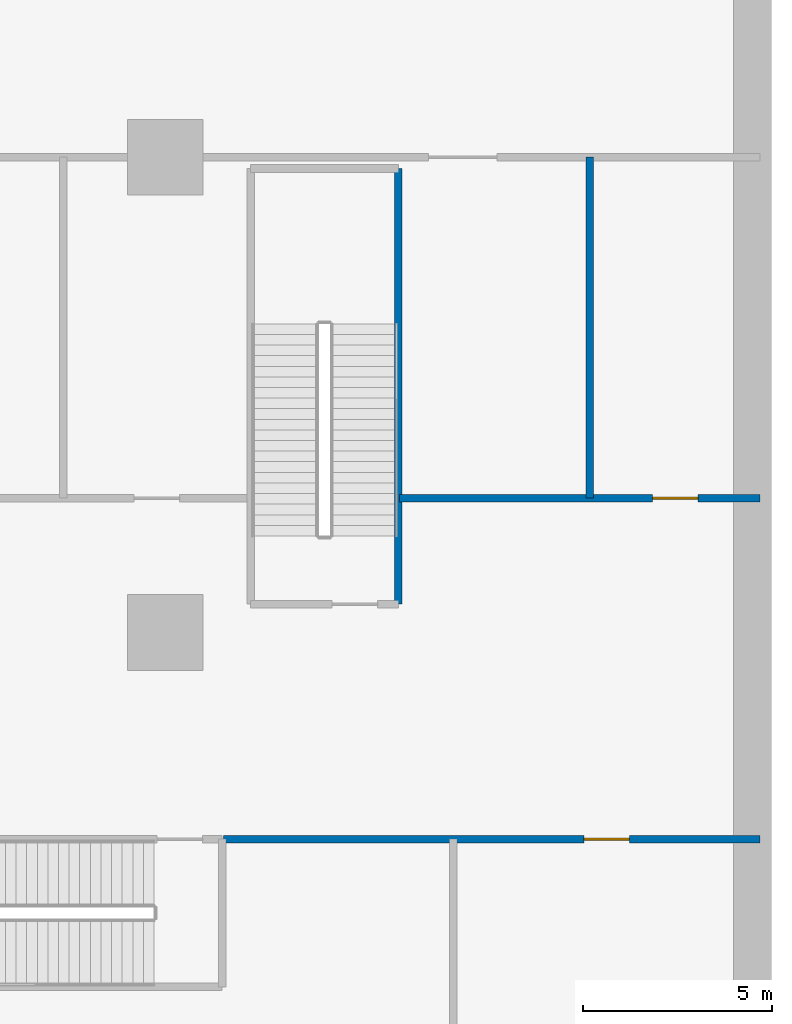
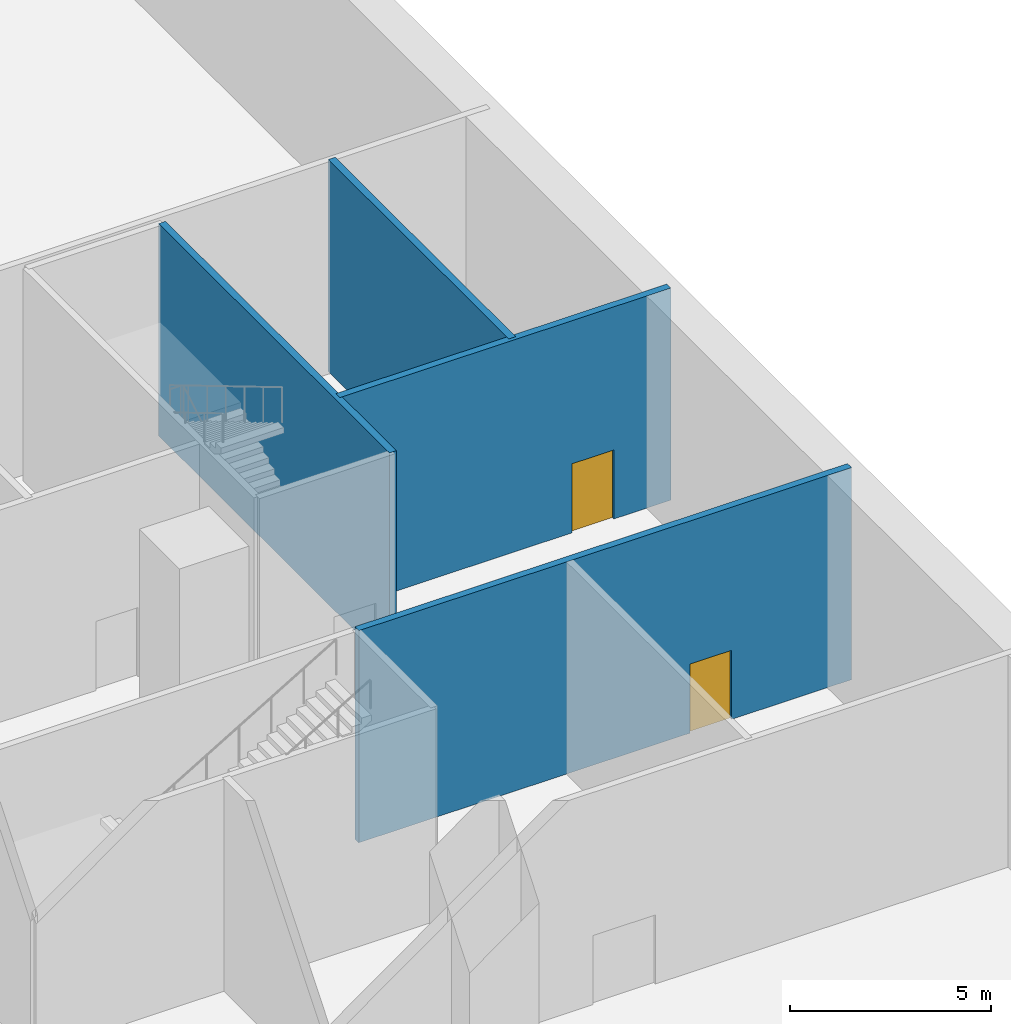
# One storey, part 13 of 37: 4 walls, 2 doors, 2 openings.
"""IFC4 building model written with IfcOpenShell, lengths in metres."""

from ifc_helpers import new_model, si_unit, direction, frame, frame_2d, origin, place, context, subcontext, project, spatial, rectangle, extrude, material, layer, layer_set, type_object, element, fill, save


model = new_model("IFC4")

# Units and contexts
model_context = context("Model", 3, precision=1e-05, world=origin(), true_north=direction((0.0, 1.0)))
body_context = subcontext(model_context, "Body", "Model", "MODEL_VIEW")
ifc_project = project(units=[si_unit("LENGTHUNIT", "METRE"), si_unit("AREAUNIT", "SQUARE_METRE"), si_unit("VOLUMEUNIT", "CUBIC_METRE"), si_unit("PLANEANGLEUNIT", "RADIAN"), si_unit("MASSUNIT", "GRAM", prefix="KILO")], contexts=[model_context])

# Site, building, storey
site_placement = place(None, origin())
site = spatial("IfcSite", under=ifc_project, at=site_placement, CompositionType="ELEMENT")
building_placement = place(site_placement, origin())
building = spatial("IfcBuilding", under=site, at=building_placement, Name="Tamarind Cross Interchange Tower", CompositionType="ELEMENT")
storey_placement = place(building_placement, frame((0.0, 0.0, -7.0)))
storey = spatial("IfcBuildingStorey", under=building, at=storey_placement, Name="B1", CompositionType="ELEMENT", Elevation=-7.0)

# Wall, opening, door
ifc_material_1 = material(Name="Masonry partition, fire-rated", Category="masonry")
ifc_layer_1 = layer(ifc_material_1, 0.199951171875)
ifc_layer_set_1 = layer_set([ifc_layer_1], Name="Masonry partition, fire-rated")
wall_type_1 = type_object("IfcWallType", Name="Fire partition 200 EI 120", PredefinedType="PARTITIONING", material=ifc_layer_set_1)
wall_1_placement = place(storey_placement, frame((55.530029296875, -31.5, 0.0), z_axis=(0.0, 0.0, 1.0), x_axis=(1.0, 0.0, 0.0)))
wall_1 = element("IfcWall", 1, at=wall_1_placement, inside=storey, type_object=wall_type_1, Name="B1 partition 109", PredefinedType="PARTITIONING", context=body_context, shape_type="SweptSolid", body=[
    extrude(rectangle(XDim=14.1689453125, YDim=0.199951171875, at=frame_2d((7.08447265625, 0.0))), origin(), (0.0, 0.0, 1.0), 6.449951171875),
])
opening_1_placement = place(wall_1_placement, frame((9.52001953125, 0.0, 0.0)))
opening_1 = element("IfcOpeningElement", 2, at=opening_1_placement, cuts=wall_1, Name="Opening DB1-28", PredefinedType="OPENING", context=body_context, shape_type="SweptSolid", body=[
    extrude(rectangle(XDim=1.199951171875, YDim=2.10009765625, at=frame_2d((0.60009765625, 1.050048828125))), frame((0.0, 0.10986328125, 0.0), z_axis=(0.0, -1.0, 0.0), x_axis=(1.0, 0.0, 0.0)), (0.0, 0.0, 1.0), 0.219970703125),
])
ifc_material_2 = material(Name="Steel, fire-resisting", Category="steel")
door_type = type_object("IfcDoorType", Name="Podium door 1200 x 2100 FD60", OperationType="SINGLE_SWING_LEFT", PredefinedType="DOOR", material=ifc_material_2)
door_1_placement = place(opening_1_placement, origin())
door_1 = element("IfcDoor", 3, at=door_1_placement, inside=storey, type_object=door_type, Name="B1 door Tenant Store B110", OperationType="SINGLE_SWING_RIGHT", OverallHeight=2.10009765625, OverallWidth=1.199951171875, PredefinedType="DOOR", context=body_context, shape_type="SweptSolid", body=[
    extrude(rectangle(XDim=1.199951171875, YDim=2.10009765625, at=frame_2d((0.60009765625, 1.050048828125))), frame((0.0, 0.02490234375, 0.0), z_axis=(0.0, -1.0, 0.0), x_axis=(1.0, 0.0, 0.0)), (0.0, 0.0, 1.0), 0.050048828125),
])
fill(opening_1, door_1)

wall_2_placement = place(storey_placement, frame((60.179931640625, -22.5, 0.0), z_axis=(0.0, 0.0, 1.0), x_axis=(1.0, 0.0, 0.0)))
wall_2 = element("IfcWall", 4, at=wall_2_placement, inside=storey, type_object=wall_type_1, Name="B1 partition 111", PredefinedType="PARTITIONING", context=body_context, shape_type="SweptSolid", body=[
    extrude(rectangle(XDim=9.51904296875, YDim=0.199951171875, at=frame_2d((4.759521484375, 0.0))), origin(), (0.0, 0.0, 1.0), 6.449951171875),
])
opening_2_placement = place(wall_2_placement, frame((6.679931640625, 0.0, 0.0)))
opening_2 = element("IfcOpeningElement", 5, at=opening_2_placement, cuts=wall_2, Name="Opening DB1-22", PredefinedType="OPENING", context=body_context, shape_type="SweptSolid", body=[
    extrude(rectangle(XDim=1.199951171875, YDim=2.10009765625, at=frame_2d((0.60009765625, 1.050048828125))), frame((0.0, 0.10986328125, 0.0), z_axis=(0.0, -1.0, 0.0), x_axis=(1.0, 0.0, 0.0)), (0.0, 0.0, 1.0), 0.219970703125),
])
door_2_placement = place(opening_2_placement, origin())
door_2 = element("IfcDoor", 6, at=door_2_placement, inside=storey, type_object=door_type, Name="B1 door Tenant Store B104", OperationType="SINGLE_SWING_RIGHT", OverallHeight=2.10009765625, OverallWidth=1.199951171875, PredefinedType="DOOR", context=body_context, shape_type="SweptSolid", body=[
    extrude(rectangle(XDim=1.199951171875, YDim=2.10009765625, at=frame_2d((0.60009765625, 1.050048828125))), frame((0.0, 0.02490234375, 0.0), z_axis=(0.0, -1.0, 0.0), x_axis=(1.0, 0.0, 0.0)), (0.0, 0.0, 1.0), 0.050048828125),
])
fill(opening_2, door_2)

# Walls
wall_3_placement = place(storey_placement, frame((65.199951171875, -22.5, 0.0), z_axis=(0.0, 0.0, 1.0), x_axis=(0.0, 1.0, 0.0)))
element("IfcWall", 7, at=wall_3_placement, inside=storey, type_object=wall_type_1, Name="B1 partition 113", PredefinedType="PARTITIONING", context=body_context, shape_type="SweptSolid", body=[
    extrude(rectangle(XDim=9.0, YDim=0.199951171875, at=frame_2d((4.5, 0.0))), origin(), (0.0, 0.0, 1.0), 6.449951171875),
])
ifc_material_3 = material(Name="Concrete C40", Category="concrete")
ifc_layer_2 = layer(ifc_material_3, 0.199951171875)
ifc_layer_set_2 = layer_set([ifc_layer_2], Name="Concrete C40")
wall_type_2 = type_object("IfcWallType", Name="Stair shaft wall 200 EI 180", PredefinedType="PARTITIONING", material=ifc_layer_set_2)
wall_4_placement = place(storey_placement, frame((60.14990234375, -25.300048828125, 0.0), z_axis=(0.0, 0.0, 1.0), x_axis=(0.0, 1.0, 0.0)))
element("IfcWall", 8, at=wall_4_placement, inside=storey, type_object=wall_type_2, Name="B1 stair shaft wall 51", PredefinedType="PARTITIONING", context=body_context, shape_type="SweptSolid", body=[
    extrude(rectangle(XDim=11.5, YDim=0.199951171875, at=frame_2d((5.75, 0.0))), origin(), (0.0, 0.0, 1.0), 6.449951171875),
])

save(model, "model.ifc")
